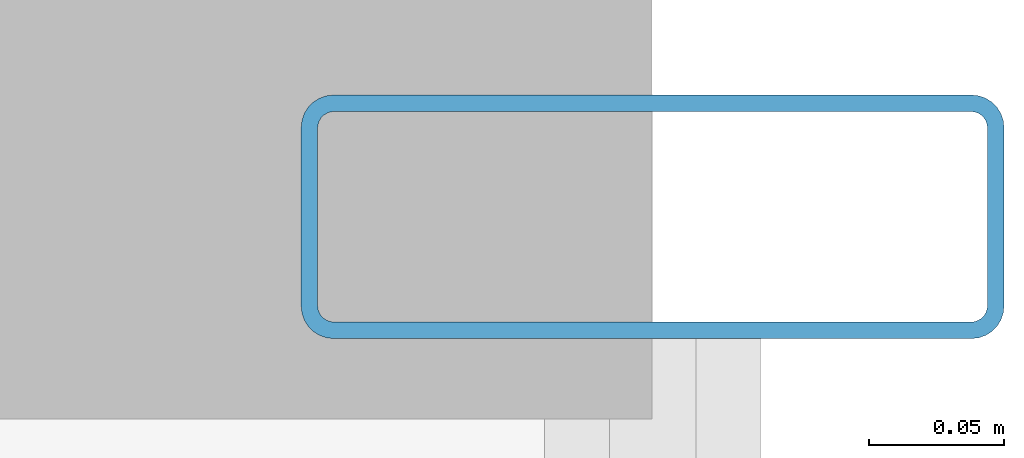
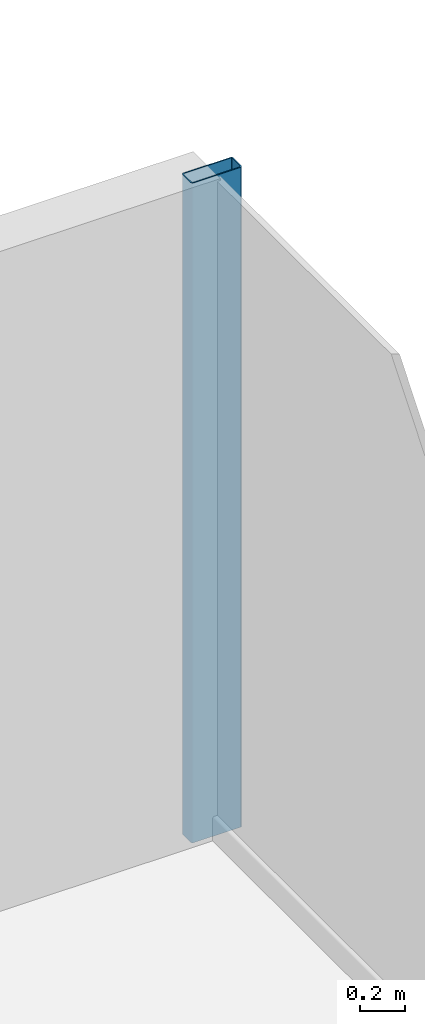
# One storey, part 18 of 26: 1 member, 1 element without a shape of its own.
"""IFC4 building model written with IfcOpenShell, lengths in metres."""

import ifcopenshell
import ifcopenshell.guid

model = None  # the IFC model being written
_history = None  # IfcOwnerHistory: only IFC2X3 demands one
_inside = {}  # id of a spatial element -> (the spatial element, [elements in it])
_under = {}  # id of a project, library or spatial element -> (it, [spatial elements below it])
_declared = {}  # id of a project -> (the project, [libraries it declares])
_typed = {}  # id of a type object -> (the type object, [elements of that type])
_made_of = {}  # id of a material, layer set ... -> (it, [elements and type objects made of it])


def new_model(schema):
    """Start an empty IFC model of exactly this schema.

    Asked for "IFC4X3", IfcOpenShell would pick the latest addendum, in which some entities
    have other attributes; the version numbers below select the first issue.
    IFC2X3 requires an IfcOwnerHistory on every rooted entity: one is made here for all.
    """
    global model, _history
    if schema == "IFC4X3":
        model = ifcopenshell.file(schema_version=(4, 3, 0, 0))
    else:
        model = ifcopenshell.file(schema=schema)
    _inside.clear()
    _under.clear()
    _declared.clear()
    _typed.clear()
    _made_of.clear()
    _history = None
    if model.schema == "IFC2X3":
        org = make("IfcOrganization", Name="unknown")
        user = make(
            "IfcPersonAndOrganization",
            ThePerson=make("IfcPerson", FamilyName="unknown"),
            TheOrganization=org,
        )
        app = make(
            "IfcApplication",
            ApplicationDeveloper=org,
            Version="unknown",
            ApplicationFullName="unknown",
            ApplicationIdentifier="unknown",
        )
        _history = make(
            "IfcOwnerHistory",
            OwningUser=user,
            OwningApplication=app,
            ChangeAction="ADDED",
            CreationDate=0,
        )
    return model


def make(cls, **values):
    """One entity of the class cls with the attributes given. An attribute that is None is left unset."""
    return model.create_entity(
        cls, **{name: value for name, value in values.items() if value is not None}
    )


def rooted(cls, **values):
    """An entity with a GlobalId (a new one), such as an element, a storey or a relation."""
    return make(cls, GlobalId=ifcopenshell.guid.new(), OwnerHistory=_history, **values)


def si_unit(unit_type, name, prefix=None):
    """IfcSIUnit, for example si_unit("LENGTHUNIT", "METRE", prefix="MILLI")."""
    return make("IfcSIUnit", UnitType=unit_type, Prefix=prefix, Name=name)


def assignment(units):
    """IfcUnitAssignment: the units of a project."""
    return None if units is None else make("IfcUnitAssignment", Units=units)


def point(xyz):
    """IfcCartesianPoint."""
    return None if xyz is None else make("IfcCartesianPoint", Coordinates=xyz)


def direction(xyz):
    """IfcDirection."""
    return None if xyz is None else make("IfcDirection", DirectionRatios=xyz)


def frame(location, z_axis=None, x_axis=None):
    """IfcAxis2Placement3D, a coordinate frame: its origin and axes. An axis left out is left unset."""
    return make(
        "IfcAxis2Placement3D",
        Location=point(location),
        Axis=direction(z_axis),
        RefDirection=direction(x_axis),
    )


def frame_2d(location, x_axis=None):
    """IfcAxis2Placement2D, a coordinate frame in the plane: its origin and x axis."""
    return make(
        "IfcAxis2Placement2D", Location=point(location), RefDirection=direction(x_axis)
    )


def origin():
    """The frame at (0, 0, 0) with its axes left unset."""
    return frame((0.0, 0.0, 0.0))


def origin_2d():
    """The frame at (0, 0) in the plane with its x axis left unset."""
    return frame_2d((0.0, 0.0))


def place(relative_to, where):
    """IfcLocalPlacement: puts the frame where relative to a parent placement (None: the world)."""
    return make(
        "IfcLocalPlacement", PlacementRelTo=relative_to, RelativePlacement=where
    )


def context(
    kind, dimensions, precision=None, world=None, true_north=None, identifier=None
):
    """IfcGeometricRepresentationContext, for example the 3D "Model" context."""
    return make(
        "IfcGeometricRepresentationContext",
        ContextIdentifier=identifier,
        ContextType=kind,
        CoordinateSpaceDimension=dimensions,
        Precision=precision,
        WorldCoordinateSystem=world,
        TrueNorth=true_north,
    )


def subcontext(parent, identifier, kind, view, scale=None):
    """IfcGeometricRepresentationSubContext, for example "Body" below "Model"."""
    return make(
        "IfcGeometricRepresentationSubContext",
        ContextIdentifier=identifier,
        ContextType=kind,
        ParentContext=parent,
        TargetScale=scale,
        TargetView=view,
    )


def project(units=None, contexts=None):
    """IfcProject with its units and contexts."""
    return rooted(
        "IfcProject",
        Name="project",
        RepresentationContexts=contexts,
        UnitsInContext=assignment(units),
    )


def spatial(cls, under=None, at=None, **own):
    """A site, building, storey or space (cls), placed at a placement, below another one or the project."""
    s = rooted(cls, ObjectPlacement=at, **own)
    if under is not None:
        _under.setdefault(under.id(), (under, []))[1].append(s)
    return s


def profile(cls, at=None, kind="AREA", **sizes):
    """A parametric profile (cls). Its sizes go by their IFC names, for example OverallWidth=200.0."""
    return make(cls, ProfileType=kind, Position=at, **sizes)


def hollow_rectangle(**sizes):
    """IfcRectangleHollowProfileDef."""
    return profile("IfcRectangleHollowProfileDef", **sizes)


def extrude(swept, where, along, depth):
    """IfcExtrudedAreaSolid: the profile swept, set in the frame where, extruded along a direction by depth."""
    return make(
        "IfcExtrudedAreaSolid",
        SweptArea=swept,
        Position=where,
        ExtrudedDirection=direction(along),
        Depth=depth,
    )


def shape(context_of_items, identifier, shape_type, items):
    """IfcShapeRepresentation: the items that make up one representation, for example the "Body"."""
    return make(
        "IfcShapeRepresentation",
        ContextOfItems=context_of_items,
        RepresentationIdentifier=identifier,
        RepresentationType=shape_type,
        Items=items,
    )


def source(mapping_origin, context_of_items, identifier, shape_type, items):
    """IfcRepresentationMap: a shape defined once, which mapped items show again and again."""
    return make(
        "IfcRepresentationMap",
        MappingOrigin=mapping_origin,
        MappedRepresentation=shape(context_of_items, identifier, shape_type, items),
    )


def transform(
    local_origin,
    x_axis=None,
    y_axis=None,
    z_axis=None,
    scale=None,
    scale2=None,
    scale3=None,
    uniform=True,
):
    """IfcCartesianTransformationOperator3D, or its non-uniform kind. x_axis, y_axis, z_axis: its Axis1, 2, 3."""
    if uniform:
        return make(
            "IfcCartesianTransformationOperator3D",
            Axis1=direction(x_axis),
            Axis2=direction(y_axis),
            LocalOrigin=point(local_origin),
            Scale=scale,
            Axis3=direction(z_axis),
        )
    return make(
        "IfcCartesianTransformationOperator3DnonUniform",
        Axis1=direction(x_axis),
        Axis2=direction(y_axis),
        LocalOrigin=point(local_origin),
        Scale=scale,
        Axis3=direction(z_axis),
        Scale2=scale2,
        Scale3=scale3,
    )


def mapped(mapping_source, mapping_target):
    """IfcMappedItem: shows the shape of a source again, moved by a transform."""
    return make(
        "IfcMappedItem", MappingSource=mapping_source, MappingTarget=mapping_target
    )


def material(Name=None, Category=None):
    """IfcMaterial."""
    return make("IfcMaterial", Name=Name, Category=Category)


def layer(
    of_material, thickness, ventilated=None, Name=None, Category=None, Priority=None
):
    """IfcMaterialLayer: one layer of a wall or slab, of a material (None: an air gap)."""
    return make(
        "IfcMaterialLayer",
        Material=of_material,
        LayerThickness=thickness,
        IsVentilated=ventilated,
        Name=Name,
        Category=Category,
        Priority=Priority,
    )


def layer_set(layers, Name=None):
    """IfcMaterialLayerSet."""
    return make("IfcMaterialLayerSet", MaterialLayers=layers, LayerSetName=Name)


def material_profile(
    of_material, cross_section, Name=None, Category=None, Priority=None
):
    """IfcMaterialProfile: a cross section and its material."""
    return make(
        "IfcMaterialProfile",
        Name=Name,
        Material=of_material,
        Profile=cross_section,
        Priority=Priority,
        Category=Category,
    )


def profile_set(profiles, Name=None, composite=None):
    """IfcMaterialProfileSet."""
    return make(
        "IfcMaterialProfileSet",
        Name=Name,
        MaterialProfiles=profiles,
        CompositeProfile=composite,
    )


def made_of(thing, what):
    """Note that an element or type object is made of a material, layer set ...; save() writes the relation."""
    if what is not None:
        _made_of.setdefault(what.id(), (what, []))[1].append(thing)
    return thing


def type_object(cls, material=None, **own):
    """A type object (cls), such as IfcWallType, which elements share."""
    return made_of(rooted(cls, **own), material)


def element(
    cls,
    number,
    at=None,
    inside=None,
    cuts=None,
    type_object=None,
    material=None,
    context=None,
    identifier="Body",
    shape_type=None,
    held_by="IfcProductDefinitionShape",
    body=None,
    shapes=None,
    **own,
):
    """One element of the class cls, such as IfcWall. Its Tag is "e" and its number.

    at: its placement. inside: the storey or other place that contains it. cuts: it is an
    opening in that element (IfcRelVoidsElement). A single representation is given by context,
    identifier, shape_type and body (its items); several are given by shapes. held_by: the class
    of the entity that holds the representations. save() writes the other relations.
    """
    e = rooted(cls, Tag="e%d" % number, ObjectPlacement=at, **own)
    if body is not None:
        shapes = [shape(context, identifier, shape_type, body)]
    if shapes is not None:
        e.Representation = make(held_by, Representations=shapes)
    if inside is not None:
        _inside.setdefault(inside.id(), (inside, []))[1].append(e)
    if cuts is not None:
        rooted(
            "IfcRelVoidsElement", RelatingBuildingElement=cuts, RelatedOpeningElement=e
        )
    if type_object is not None:
        _typed.setdefault(type_object.id(), (type_object, []))[1].append(e)
    return made_of(e, material)


def aggregate(whole, parts):
    """IfcRelAggregates: a whole, such as a stair, and the parts it consists of."""
    return rooted("IfcRelAggregates", RelatingObject=whole, RelatedObjects=parts)


def save(model, path):
    """Write the relations noted so far, then the file.

    IfcRelAggregates (storeys below a building ...), IfcRelContainedInSpatialStructure (elements
    in a storey), IfcRelDefinesByType, IfcRelAssociatesMaterial and IfcRelDeclares: one each for
    every whole, place, type object, material and project.
    """
    for whole, parts in _under.values():
        aggregate(whole, parts)
    for where, things in _inside.values():
        rooted(
            "IfcRelContainedInSpatialStructure",
            RelatedElements=things,
            RelatingStructure=where,
        )
    for kind, things in _typed.values():
        rooted("IfcRelDefinesByType", RelatedObjects=things, RelatingType=kind)
    for what, things in _made_of.values():
        rooted("IfcRelAssociatesMaterial", RelatedObjects=things, RelatingMaterial=what)
    for by, libraries in _declared.values():
        rooted("IfcRelDeclares", RelatingContext=by, RelatedDefinitions=libraries)
    model.write(path)


model = new_model("IFC4")

# Units and contexts
model_context = context("Model", 3, precision=1e-05, world=origin(), true_north=direction((0.0, 1.0)))
body_context = subcontext(model_context, "Body", "Model", "MODEL_VIEW")
ifc_project = project(units=[si_unit("LENGTHUNIT", "METRE"), si_unit("AREAUNIT", "SQUARE_METRE"), si_unit("VOLUMEUNIT", "CUBIC_METRE"), si_unit("PLANEANGLEUNIT", "RADIAN"), si_unit("MASSUNIT", "GRAM", prefix="KILO")], contexts=[model_context])

# Site, building, storey
site_placement = place(None, origin())
site = spatial("IfcSite", under=ifc_project, at=site_placement, CompositionType="ELEMENT")
building_placement = place(site_placement, origin())
building = spatial("IfcBuilding", under=site, at=building_placement, Name="Nefas-Gora Pilgrimage Tower", CompositionType="ELEMENT")
storey_placement = place(building_placement, frame((0.0, 0.0, 36.800048828125)))
storey = spatial("IfcBuildingStorey", under=building, at=storey_placement, Name="L07", CompositionType="ELEMENT", Elevation=36.800048828125)

# Curtain wall, member
ifc_material_1 = material(Name="Dark ceramic-fritted solar-control aluminium-glass curtain wall", Category="aluminium")
ifc_layer = layer(ifc_material_1, 0.219970703125)
ifc_layer_set = layer_set([ifc_layer], Name="Dark ceramic-fritted solar-control aluminium-glass curtain wall")
curtain_wall_type = type_object("IfcCurtainWallType", Name="CW-SYS-2", PredefinedType="NOTDEFINED", material=ifc_layer_set)
curtain_wall_placement = place(storey_placement, origin())
curtain_wall = element("IfcCurtainWall", 1, at=curtain_wall_placement, inside=storey, type_object=curtain_wall_type, Name="L07 Unitised Curtain Wall CW2", PredefinedType="NOTDEFINED")
ifc_material_2 = material(Name="Anodised architectural aluminium", Category="aluminium")
ifc_material_profile = material_profile(ifc_material_2, hollow_rectangle(XDim=0.090087890625, YDim=0.260009765625, WallThickness=0.006103515625, InnerFilletRadius=0.006103515625, OuterFilletRadius=0.011962890625, at=origin_2d()), Name="ALU MULLION 90x260")
ifc_profile_set = profile_set([ifc_material_profile], Name="Anodised architectural aluminium")
member_type = type_object("IfcMemberType", Name="CWM-MUL-2", PredefinedType="MULLION", material=ifc_profile_set)
shared_shape = source(origin(), body_context, "Body", "SweptSolid", [
    extrude(hollow_rectangle(XDim=0.090087890625, YDim=0.260009765625, WallThickness=0.006103515625, InnerFilletRadius=0.006103515625, OuterFilletRadius=0.011962890625, at=origin_2d()), origin(), (0.0, 0.0, 1.0), 3.550048828125),
])
member_placement = place(storey_placement, frame((34.27001953125, 17.574951171875, 0.0), z_axis=(0.0, 0.0, 1.0), x_axis=(0.0, 1.0, 0.0)))
member = element("IfcMember", 2, at=member_placement, type_object=member_type, Name="CW2 Mullion 2", PredefinedType="MULLION", context=body_context, shape_type="MappedRepresentation", body=[
    mapped(shared_shape, transform((0.0, 0.0, 0.0), x_axis=(1.0, 0.0, 0.0), y_axis=(0.0, 1.0, 0.0), z_axis=(0.0, 0.0, 1.0), scale=1.0)),
])
aggregate(curtain_wall, [member])

save(model, "model.ifc")
